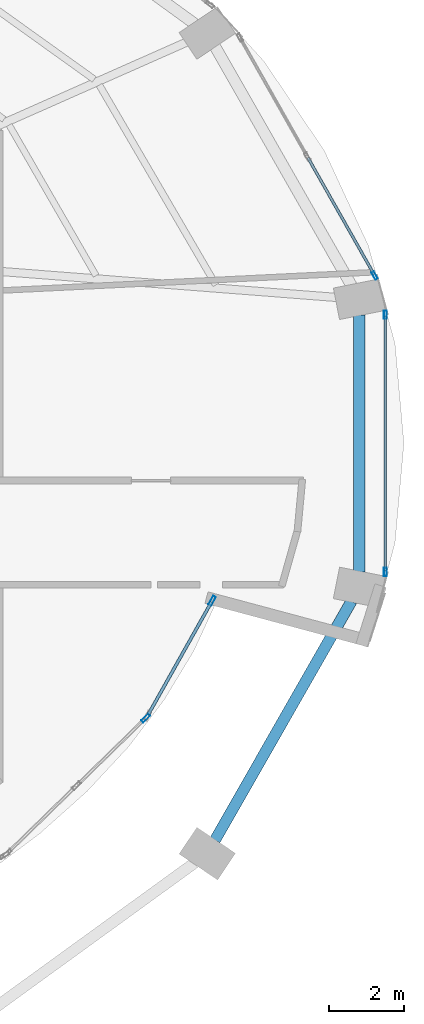
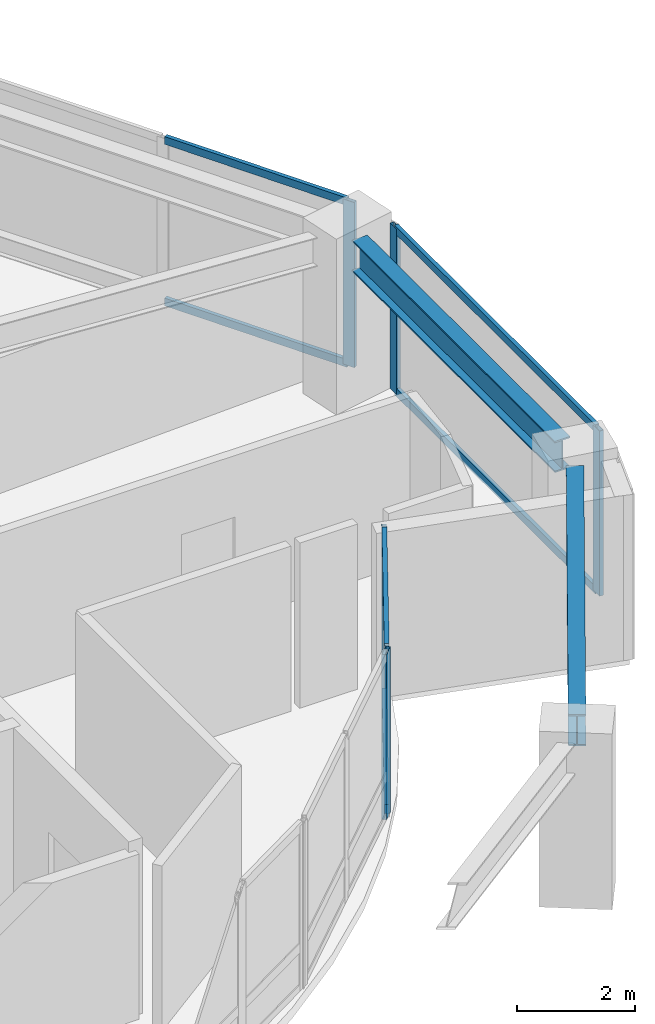
# One storey, part 12 of 24: 12 members, 2 beams, 4 elements without a shape of their own.
"""IFC4 building model written with IfcOpenShell, lengths in metres."""

from ifc_helpers import new_model, si_unit, direction, frame, origin, origin_2d, place, context, subcontext, project, spatial, hollow_rectangle, i_section, extrude, material, layer, layer_set, material_profile, profile_set, type_object, element, aggregate, save


model = new_model("IFC4")

# Units and contexts
model_context = context("Model", 3, precision=1e-05, world=origin(), true_north=direction((0.0, 1.0)))
body_context = subcontext(model_context, "Body", "Model", "MODEL_VIEW")
ifc_project = project(units=[si_unit("LENGTHUNIT", "METRE"), si_unit("AREAUNIT", "SQUARE_METRE"), si_unit("VOLUMEUNIT", "CUBIC_METRE"), si_unit("PLANEANGLEUNIT", "RADIAN"), si_unit("MASSUNIT", "GRAM", prefix="KILO")], contexts=[model_context])

# Site, building, storey
site_placement = place(None, origin())
site = spatial("IfcSite", under=ifc_project, at=site_placement, CompositionType="ELEMENT")
building_placement = place(site_placement, origin())
building = spatial("IfcBuilding", under=site, at=building_placement, Name="Lazwardi Medical Tower", CompositionType="ELEMENT")
storey_placement = place(building_placement, frame((0.0, 0.0, 61.679931640625)))
storey = spatial("IfcBuildingStorey", under=building, at=storey_placement, Name="L15", CompositionType="ELEMENT", Elevation=61.679931640625)

# Beams
ifc_material_1 = material(Name="Steel S355", Category="steel")
ifc_material_profile_1 = material_profile(ifc_material_1, i_section(OverallWidth=0.300048828125, OverallDepth=0.64990234375, WebThickness=0.01611328125, FlangeThickness=0.031005859375, at=origin_2d()), Name="HEB 650")
ifc_profile_set_1 = profile_set([ifc_material_profile_1], Name="Steel S355")
beam_type = type_object("IfcBeamType", Name="BM-RB-Z1", PredefinedType="BEAM", material=ifc_profile_set_1)
beam_1_placement = place(storey_placement, frame((58.927978515625, 19.75048828125, 3.10302734375), z_axis=(0.495829348644, 0.868419977328, 0.0), x_axis=(-0.868419977328, 0.495829348644, 0.0)))
element("IfcBeam", 1, at=beam_1_placement, inside=storey, type_object=beam_type, Name="Ring beam RB-02 B03 L15", PredefinedType="BEAM", context=body_context, shape_type="SweptSolid", body=[
    extrude(i_section(OverallWidth=0.300048828125, OverallDepth=0.64990234375, WebThickness=0.01611328125, FlangeThickness=0.031005859375, at=origin_2d()), origin(), (0.0, 0.0, 1.0), 7.38916015625),
])
beam_2_placement = place(storey_placement, frame((62.800048828125, 26.952392578125, 3.10302734375), z_axis=(0.0, 1.0, 0.0), x_axis=(-1.0, 0.0, 0.0)))
element("IfcBeam", 2, at=beam_2_placement, inside=storey, type_object=beam_type, Name="Ring beam RB-02 B04 L15", PredefinedType="BEAM", context=body_context, shape_type="SweptSolid", body=[
    extrude(i_section(OverallWidth=0.300048828125, OverallDepth=0.64990234375, WebThickness=0.01611328125, FlangeThickness=0.031005859375, at=origin_2d()), origin(), (0.0, 0.0, 1.0), 6.895263671875),
])

# Curtain wall, members
ifc_material_2 = material(Name="Anodised bronze aluminium and solar control glazing", Category="aluminium")
ifc_layer_1 = layer(ifc_material_2, 0.199951171875)
ifc_layer_set_1 = layer_set([ifc_layer_1], Name="Anodised bronze aluminium and solar control glazing")
curtain_wall_type_1 = type_object("IfcCurtainWallType", Name="CW-SYS-02", PredefinedType="NOTDEFINED", material=ifc_layer_set_1)
curtain_wall_1_placement = place(storey_placement, origin())
curtain_wall_1 = element("IfcCurtainWall", 3, at=curtain_wall_1_placement, inside=storey, type_object=curtain_wall_type_1, Name="L15 Unitised bronze curtain wall CW-02", PredefinedType="NOTDEFINED")
ifc_material_3 = material(Name="Anodised bronze aluminium", Category="aluminium")
ifc_material_profile_2 = material_profile(ifc_material_3, hollow_rectangle(XDim=0.074951171875, YDim=0.219970703125, WallThickness=0.00390625, at=origin_2d()), Name="ALU-MULLION 220x75x4")
ifc_profile_set_2 = profile_set([ifc_material_profile_2], Name="Anodised bronze aluminium")
member_type_1 = type_object("IfcMemberType", Name="CW-MUL-01", PredefinedType="MULLION", material=ifc_profile_set_2)
member_1_placement = place(storey_placement, frame((63.49853515625, 26.946044921875, 0.0), z_axis=(0.0, 0.0, 1.0), x_axis=(-1.0, 0.0, 0.0)))
member_1 = element("IfcMember", 4, at=member_1_placement, type_object=member_type_1, Name="CW-02 mullion 1", PredefinedType="MULLION", context=body_context, shape_type="SweptSolid", body=[
    extrude(hollow_rectangle(XDim=0.074951171875, YDim=0.219970703125, WallThickness=0.00390625, at=origin_2d()), origin(), (0.0, 0.0, 1.0), 3.427978515625),
])
member_2_placement = place(storey_placement, frame((63.49853515625, 33.85400390625, 0.0), z_axis=(0.0, 0.0, 1.0), x_axis=(-1.0, 0.0, 0.0)))
member_2 = element("IfcMember", 5, at=member_2_placement, type_object=member_type_1, Name="CW-02 mullion 2", PredefinedType="MULLION", context=body_context, shape_type="SweptSolid", body=[
    extrude(hollow_rectangle(XDim=0.074951171875, YDim=0.219970703125, WallThickness=0.00390625, at=origin_2d()), origin(), (0.0, 0.0, 1.0), 3.427978515625),
])

# Curtain wall, member
curtain_wall_2_placement = place(storey_placement, origin())
curtain_wall_2 = element("IfcCurtainWall", 6, at=curtain_wall_2_placement, inside=storey, type_object=curtain_wall_type_1, Name="L15 Unitised bronze curtain wall CW-02", PredefinedType="NOTDEFINED")
member_3_placement = place(storey_placement, frame((63.214111328125, 34.90234375, 0.0), z_axis=(0.0, 0.0, 1.0), x_axis=(-0.870111838823, -0.492854327303, 0.0)))
member_3 = element("IfcMember", 7, at=member_3_placement, type_object=member_type_1, Name="CW-02 mullion 1", PredefinedType="MULLION", context=body_context, shape_type="SweptSolid", body=[
    extrude(hollow_rectangle(XDim=0.074951171875, YDim=0.219970703125, WallThickness=0.00390625, at=origin_2d()), origin(), (0.0, 0.0, 1.0), 3.427978515625),
])

ifc_layer_2 = layer(ifc_material_2, 0.239990234375)
ifc_layer_set_2 = layer_set([ifc_layer_2], Name="Anodised bronze aluminium and solar control glazing")
curtain_wall_type_2 = type_object("IfcCurtainWallType", Name="CW-SYS-05", PredefinedType="NOTDEFINED", material=ifc_layer_set_2)
curtain_wall_3_placement = place(storey_placement, origin())
curtain_wall_3 = element("IfcCurtainWall", 8, at=curtain_wall_3_placement, inside=storey, type_object=curtain_wall_type_2, Name="L15 Unitised bronze curtain wall CW-05", PredefinedType="NOTDEFINED")
ifc_material_profile_3 = material_profile(ifc_material_3, hollow_rectangle(XDim=0.0849609375, YDim=0.260009765625, WallThickness=0.0048828125, at=origin_2d()), Name="ALU-MULLION 260x85x5")
ifc_profile_set_3 = profile_set([ifc_material_profile_3], Name="Anodised bronze aluminium")
member_type_2 = type_object("IfcMemberType", Name="CW-MUL-02", PredefinedType="MULLION", material=ifc_profile_set_3)
member_4_placement = place(storey_placement, frame((58.852294921875, 26.17529296875, 0.0), z_axis=(0.0, 0.0, 1.0), x_axis=(-0.871837157649, 0.489795845779, 0.0)))
member_4 = element("IfcMember", 9, at=member_4_placement, type_object=member_type_2, Name="CW-05 mullion 2", PredefinedType="MULLION", context=body_context, shape_type="SweptSolid", body=[
    extrude(hollow_rectangle(XDim=0.0849609375, YDim=0.260009765625, WallThickness=0.0048828125, at=origin_2d()), origin(), (0.0, 0.0, 1.0), 3.427978515625),
])

curtain_wall_4_placement = place(storey_placement, origin())
curtain_wall_4 = element("IfcCurtainWall", 10, at=curtain_wall_4_placement, inside=storey, type_object=curtain_wall_type_2, Name="L15 Unitised bronze curtain wall CW-05", PredefinedType="NOTDEFINED")
member_5_placement = place(storey_placement, frame((57.068603515625, 23.024658203125, 0.0), z_axis=(0.0, 0.0, 1.0), x_axis=(-0.698402153121, 0.715705548753, 0.0)))
member_5 = element("IfcMember", 11, at=member_5_placement, type_object=member_type_2, Name="CW-05 mullion 3", PredefinedType="MULLION", context=body_context, shape_type="SweptSolid", body=[
    extrude(hollow_rectangle(XDim=0.0849609375, YDim=0.260009765625, WallThickness=0.0048828125, at=origin_2d()), origin(), (0.0, 0.0, 1.0), 3.427978515625),
])
aggregate(curtain_wall_4, [member_5])

# Member
ifc_material_profile_4 = material_profile(ifc_material_3, hollow_rectangle(XDim=0.074951171875, YDim=0.159912109375, WallThickness=0.00390625, at=origin_2d()), Name="ALU-TRANSOM 160x75x4")
ifc_profile_set_4 = profile_set([ifc_material_profile_4], Name="Anodised bronze aluminium")
member_type_3 = type_object("IfcMemberType", Name="CW-TRN-01", PredefinedType="USERDEFINED", material=ifc_profile_set_4)
member_6_placement = place(storey_placement, frame((63.49853515625, 26.9833984375, 0.03759765625), z_axis=(0.0, 1.0, 0.0), x_axis=(-1.0, 0.0, 0.0)))
member_6 = element("IfcMember", 12, at=member_6_placement, type_object=member_type_3, Name="CW-02 transom 1.1", ObjectType="TRANSOM", PredefinedType="USERDEFINED", context=body_context, shape_type="SweptSolid", body=[
    extrude(hollow_rectangle(XDim=0.074951171875, YDim=0.159912109375, WallThickness=0.00390625, at=origin_2d()), origin(), (0.0, 0.0, 1.0), 6.8330078125),
])

member_7_placement = place(storey_placement, frame((63.49853515625, 26.9833984375, 3.390625), z_axis=(0.0, 1.0, 0.0), x_axis=(-1.0, 0.0, 0.0)))
member_7 = element("IfcMember", 13, at=member_7_placement, type_object=member_type_3, Name="CW-02 transom 1.2", ObjectType="TRANSOM", PredefinedType="USERDEFINED", context=body_context, shape_type="SweptSolid", body=[
    extrude(hollow_rectangle(XDim=0.074951171875, YDim=0.159912109375, WallThickness=0.00390625, at=origin_2d()), origin(), (0.0, 0.0, 1.0), 6.8330078125),
])

aggregate(curtain_wall_1, [member_1, member_2, member_6, member_7])

member_8_placement = place(storey_placement, frame((63.195556640625, 34.93505859375, 0.03759765625), z_axis=(-0.492880614687, 0.870096948429, 0.0), x_axis=(-0.870096948429, -0.492880614687, 0.0)))
member_8 = element("IfcMember", 14, at=member_8_placement, type_object=member_type_3, Name="CW-02 transom 1.1", ObjectType="TRANSOM", PredefinedType="USERDEFINED", context=body_context, shape_type="SweptSolid", body=[
    extrude(hollow_rectangle(XDim=0.074951171875, YDim=0.159912109375, WallThickness=0.00390625, at=origin_2d()), origin(), (0.0, 0.0, 1.0), 3.5947265625),
])

member_9_placement = place(storey_placement, frame((63.195556640625, 34.93505859375, 3.390625), z_axis=(-0.492880614687, 0.870096948429, 0.0), x_axis=(-0.870096948429, -0.492880614687, 0.0)))
member_9 = element("IfcMember", 15, at=member_9_placement, type_object=member_type_3, Name="CW-02 transom 1.2", ObjectType="TRANSOM", PredefinedType="USERDEFINED", context=body_context, shape_type="SweptSolid", body=[
    extrude(hollow_rectangle(XDim=0.074951171875, YDim=0.159912109375, WallThickness=0.00390625, at=origin_2d()), origin(), (0.0, 0.0, 1.0), 3.5947265625),
])

aggregate(curtain_wall_2, [member_3, member_8, member_9])

ifc_material_profile_5 = material_profile(ifc_material_3, hollow_rectangle(XDim=0.0849609375, YDim=0.199951171875, WallThickness=0.00439453125, at=origin_2d()), Name="ALU-TRANSOM 200x85x4.5")
ifc_profile_set_5 = profile_set([ifc_material_profile_5], Name="Anodised bronze aluminium")
member_type_4 = type_object("IfcMemberType", Name="CW-TRN-02", PredefinedType="USERDEFINED", material=ifc_profile_set_5)
member_10_placement = place(storey_placement, frame((57.140625, 23.12841796875, 0.04248046875), z_axis=(0.48980453723, 0.871832274758, 0.0), x_axis=(-0.871832274758, 0.48980453723, 0.0)))
member_10 = element("IfcMember", 16, at=member_10_placement, type_object=member_type_4, Name="CW-05 transom 1.1", ObjectType="TRANSOM", PredefinedType="USERDEFINED", context=body_context, shape_type="SweptSolid", body=[
    extrude(hollow_rectangle(XDim=0.0849609375, YDim=0.199951171875, WallThickness=0.00439453125, at=origin_2d()), origin(), (0.0, 0.0, 1.0), 3.4521484375),
])

member_11_placement = place(storey_placement, frame((57.140625, 23.12841796875, 0.900146484375), z_axis=(0.48980453723, 0.871832274758, 0.0), x_axis=(-0.871832274758, 0.48980453723, 0.0)))
member_11 = element("IfcMember", 17, at=member_11_placement, type_object=member_type_4, Name="CW-05 transom 1.2", ObjectType="TRANSOM", PredefinedType="USERDEFINED", context=body_context, shape_type="SweptSolid", body=[
    extrude(hollow_rectangle(XDim=0.0849609375, YDim=0.199951171875, WallThickness=0.00439453125, at=origin_2d()), origin(), (0.0, 0.0, 1.0), 3.4521484375),
])

member_12_placement = place(storey_placement, frame((57.140625, 23.12841796875, 3.385498046875), z_axis=(0.48980453723, 0.871832274758, 0.0), x_axis=(-0.871832274758, 0.48980453723, 0.0)))
member_12 = element("IfcMember", 18, at=member_12_placement, type_object=member_type_4, Name="CW-05 transom 1.3", ObjectType="TRANSOM", PredefinedType="USERDEFINED", context=body_context, shape_type="SweptSolid", body=[
    extrude(hollow_rectangle(XDim=0.0849609375, YDim=0.199951171875, WallThickness=0.00439453125, at=origin_2d()), origin(), (0.0, 0.0, 1.0), 3.4521484375),
])

aggregate(curtain_wall_3, [member_4, member_10, member_11, member_12])

save(model, "model.ifc")
